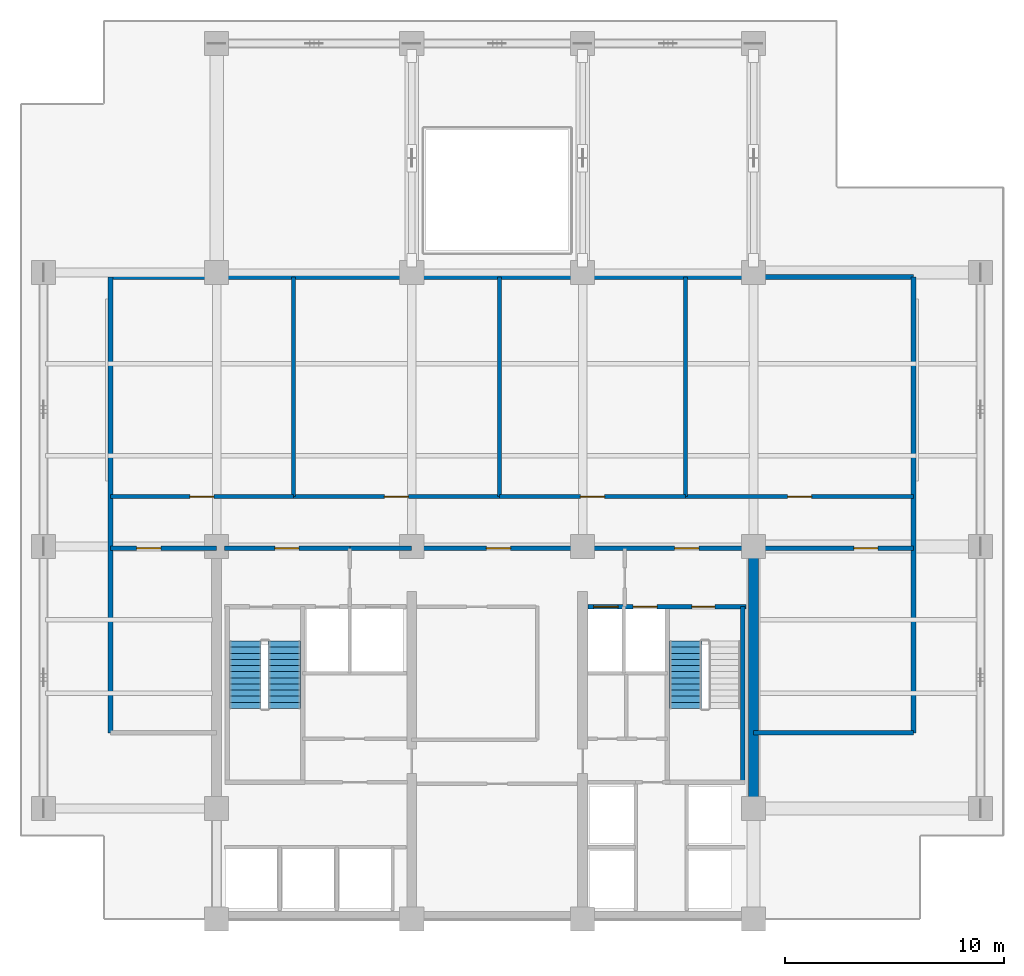
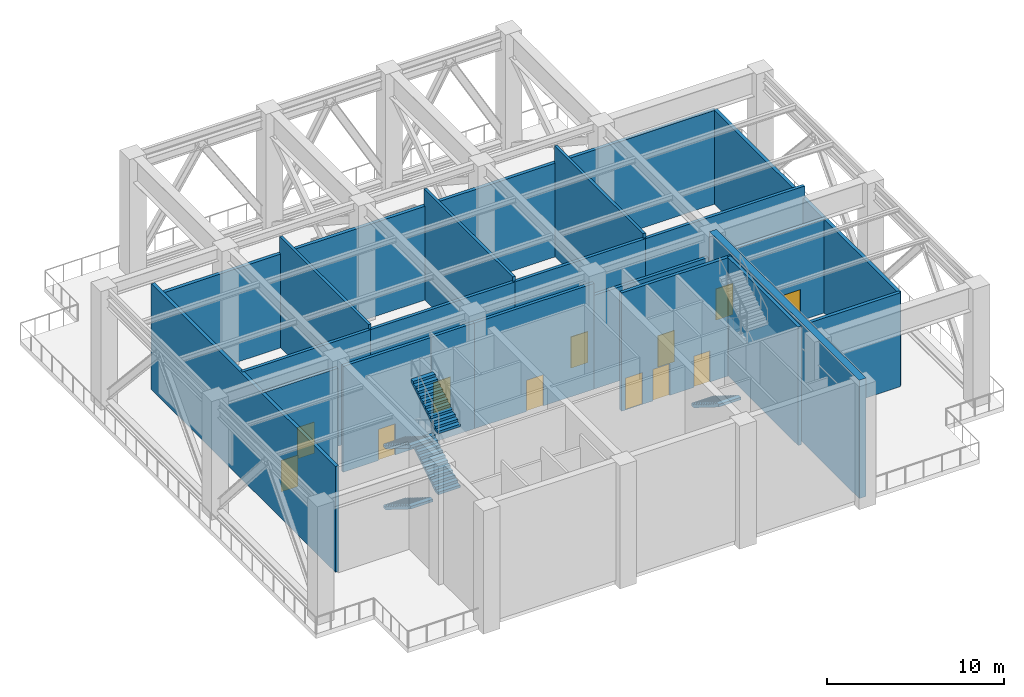
# One storey, part 4 of 7: 20 walls, 12 doors, 5 stair flights, 12 openings, 2 elements without a shape of their own.
"""IFC4 building model written with IfcOpenShell, lengths in metres."""

from ifc_helpers import new_model, si_unit, direction, frame, frame_2d, origin, place, context, subcontext, project, spatial, polyline, rectangle, outline, extrude, material, layer, layer_set, type_object, element, fill, aggregate, save


model = new_model("IFC4")

# Units and contexts
model_context = context("Model", 3, precision=1e-05, world=origin(), true_north=direction((0.0, 1.0)))
body_context = subcontext(model_context, "Body", "Model", "MODEL_VIEW")
ifc_project = project(units=[si_unit("LENGTHUNIT", "METRE"), si_unit("AREAUNIT", "SQUARE_METRE"), si_unit("VOLUMEUNIT", "CUBIC_METRE"), si_unit("PLANEANGLEUNIT", "RADIAN"), si_unit("MASSUNIT", "GRAM", prefix="KILO")], contexts=[model_context])

# Site, building, storey
site_placement = place(None, origin())
site = spatial("IfcSite", under=ifc_project, at=site_placement, CompositionType="ELEMENT")
building_placement = place(site_placement, origin())
building = spatial("IfcBuilding", under=site, at=building_placement, Name="Qalmaran Belvedere Hotel", CompositionType="ELEMENT")
storey_placement = place(building_placement, frame((0.0, 0.0, 184.10009765625)))
storey = spatial("IfcBuildingStorey", under=building, at=storey_placement, Name="L47", CompositionType="ELEMENT", Elevation=184.10009765625)

# Walls
ifc_material_1 = material(Name="Concrete C50/60", Category="concrete")
ifc_layer_1 = layer(ifc_material_1, 0.449951171875, Name="Concrete C50/60")
ifc_layer_set_1 = layer_set([ifc_layer_1], Name="Concrete C50/60")
wall_type_1 = type_object("IfcWallType", Name="WL-CORE-450-C50", PredefinedType="SHEAR", material=ifc_layer_set_1)
wall_1_placement = place(storey_placement, frame((44.800048828125, 3.5, 0.0), z_axis=(0.0, 0.0, 1.0), x_axis=(0.0, 1.0, 0.0)))
element("IfcWall", 1, at=wall_1_placement, inside=storey, type_object=wall_type_1, Name="L47 East Core Shear Wall", PredefinedType="SHEAR", context=body_context, shape_type="SweptSolid", body=[
    extrude(rectangle(XDim=16.89990234375, YDim=0.449951171875, at=frame_2d((8.449951171875, 0.0))), origin(), (0.0, 0.0, 1.0), 8.159912109375),
])
ifc_material_2 = material(Name="Gypsum Stud Partition")
ifc_layer_2 = layer(ifc_material_2, 0.179931640625, Name="Gypsum Stud Partition")
ifc_layer_set_2 = layer_set([ifc_layer_2], Name="Gypsum Stud Partition")
wall_type_2 = type_object("IfcWallType", Name="WL-INT-180-EI120", PredefinedType="PARTITIONING", material=ifc_layer_set_2)
for number, where, z_axis, x_axis, name in (
    (2, (23.800048828125, 22.780029296875, 0.0), (0.0, 0.0, 1.0), (0.0, 1.0, 0.0), "L47 Partition WL-L47-PV1"),
    (3, (33.199951171875, 22.780029296875, 0.0), (0.0, 0.0, 1.0), (0.0, 1.0, 0.0), "L47 Partition WL-L47-PV2"),
    (4, (41.699951171875, 22.780029296875, 0.0), (0.0, 0.0, 1.0), (0.0, 1.0, 0.0), "L47 Partition WL-L47-PV3"),
):
    element("IfcWall", number, at=place(storey_placement, frame(where, z_axis=z_axis, x_axis=x_axis)), inside=storey, type_object=wall_type_2, Name=name, PredefinedType="PARTITIONING", context=body_context, shape_type="SweptSolid", body=[
        extrude(rectangle(XDim=10.02001953125, YDim=0.179931640625, at=frame_2d((5.010009765625, 0.0))), origin(), (0.0, 0.0, 1.0), 7.601806640625),
    ])

# Wall, opening, door
ifc_material_3 = material(Name="Concrete C30/37 Blockwork", Category="masonry")
ifc_layer_3 = layer(ifc_material_3, 0.199951171875, Name="Concrete C30/37 Blockwork")
ifc_layer_set_3 = layer_set([ifc_layer_3], Name="Concrete C30/37 Blockwork")
wall_type_3 = type_object("IfcWallType", Name="WL-INT-200-EI120", PredefinedType="PARTITIONING", material=ifc_layer_set_3)
wall_2_placement = place(storey_placement, frame((20.64990234375, 20.419921875, 0.0), z_axis=(0.0, 0.0, 1.0), x_axis=(1.0, 0.0, 0.0)))
wall_2 = element("IfcWall", 5, at=wall_2_placement, inside=storey, type_object=wall_type_3, Name="L47 Partition WL-CN1A-L47", PredefinedType="PARTITIONING", context=body_context, shape_type="SweptSolid", body=[
    extrude(rectangle(XDim=5.72998046875, YDim=0.199951171875, at=frame_2d((2.864990234375, 0.0))), origin(), (0.0, 0.0, 1.0), 7.289794921875),
])
opening_1_placement = place(wall_2_placement, frame((2.300048828125, 0.0, 0.0)))
opening_1 = element("IfcOpeningElement", 6, at=opening_1_placement, cuts=wall_2, Name="Opening FD90", PredefinedType="OPENING", context=body_context, shape_type="SweptSolid", body=[
    extrude(rectangle(XDim=1.10009765625, YDim=2.14990234375, at=frame_2d((0.550048828125, 1.074951171875))), frame((0.0, 0.10986328125, 0.0), z_axis=(0.0, -1.0, 0.0), x_axis=(1.0, 0.0, 0.0)), (0.0, 0.0, 1.0), 0.219970703125),
])
ifc_material_4 = material(Name="Steel S355JR", Category="steel")
door_type_1 = type_object("IfcDoorType", Name="DR-FD90-1100X2150", OperationType="NOTDEFINED", PredefinedType="DOOR", material=ifc_material_4)
door_1_placement = place(opening_1_placement, origin())
door_1 = element("IfcDoor", 7, at=door_1_placement, inside=storey, type_object=door_type_1, Name="L47 FF1 Lobby Corridor Door", OperationType="SINGLE_SWING_RIGHT", OverallHeight=2.14990234375, OverallWidth=1.10009765625, PredefinedType="DOOR", context=body_context, shape_type="SweptSolid", body=[
    extrude(rectangle(XDim=1.10009765625, YDim=2.14990234375, at=frame_2d((0.550048828125, 1.074951171875))), frame((0.0, 0.02490234375, 0.0), z_axis=(0.0, -1.0, 0.0), x_axis=(1.0, 0.0, 0.0)), (0.0, 0.0, 1.0), 0.050048828125),
])
fill(opening_1, door_1)

# Wall
wall_3_placement = place(storey_placement, frame((26.3798828125, 20.419921875, 0.0), z_axis=(0.0, 0.0, 1.0), x_axis=(1.0, 0.0, 0.0)))
element("IfcWall", 8, at=wall_3_placement, inside=storey, type_object=wall_type_3, Name="L47 Partition WL-CN1B-L47", PredefinedType="PARTITIONING", context=body_context, shape_type="SweptSolid", body=[
    extrude(rectangle(XDim=2.820068359375, YDim=0.199951171875, at=frame_2d((1.41015625, 0.0))), origin(), (0.0, 0.0, 1.0), 7.289794921875),
])

# Wall, opening, door
wall_4_placement = place(storey_placement, frame((29.199951171875, 20.419921875, 0.0), z_axis=(0.0, 0.0, 1.0), x_axis=(1.0, 0.0, 0.0)))
wall_4 = element("IfcWall", 9, at=wall_4_placement, inside=storey, type_object=wall_type_3, Name="L47 Partition WL-CN2-L47", PredefinedType="PARTITIONING", context=body_context, shape_type="SweptSolid", body=[
    extrude(rectangle(XDim=7.800048828125, YDim=0.199951171875, at=frame_2d((3.89990234375, 0.0))), origin(), (0.0, 0.0, 1.0), 7.289794921875),
])
opening_2_placement = place(wall_4_placement, frame((3.4091796875, 0.0, 0.0)))
opening_2 = element("IfcOpeningElement", 10, at=opening_2_placement, cuts=wall_4, Name="Opening FD90", PredefinedType="OPENING", context=body_context, shape_type="SweptSolid", body=[
    extrude(rectangle(XDim=1.10009765625, YDim=2.14990234375, at=frame_2d((0.550048828125, 1.074951171875))), frame((0.0, 0.10986328125, 0.0), z_axis=(0.0, -1.0, 0.0), x_axis=(1.0, 0.0, 0.0)), (0.0, 0.0, 1.0), 0.219970703125),
])
door_2_placement = place(opening_2_placement, origin())
door_2 = element("IfcDoor", 11, at=door_2_placement, inside=storey, type_object=door_type_1, Name="L47 Central Lift Lobby Door", OperationType="SINGLE_SWING_LEFT", OverallHeight=2.14990234375, OverallWidth=1.10009765625, PredefinedType="DOOR", context=body_context, shape_type="SweptSolid", body=[
    extrude(rectangle(XDim=1.10009765625, YDim=2.14990234375, at=frame_2d((0.550048828125, 1.074951171875))), frame((0.0, 0.02490234375, 0.0), z_axis=(0.0, -1.0, 0.0), x_axis=(1.0, 0.0, 0.0)), (0.0, 0.0, 1.0), 0.050048828125),
])
fill(opening_2, door_2)

wall_5_placement = place(storey_placement, frame((37.0, 20.419921875, 0.0), z_axis=(0.0, 0.0, 1.0), x_axis=(1.0, 0.0, 0.0)))
wall_5 = element("IfcWall", 12, at=wall_5_placement, inside=storey, type_object=wall_type_3, Name="L47 Partition WL-CN3-L47", PredefinedType="PARTITIONING", context=body_context, shape_type="SweptSolid", body=[
    extrude(rectangle(XDim=7.449951171875, YDim=0.199951171875, at=frame_2d((3.72509765625, 0.0))), origin(), (0.0, 0.0, 1.0), 6.46484375),
])
opening_3_placement = place(wall_5_placement, frame((4.199951171875, 0.0, 0.0)))
opening_3 = element("IfcOpeningElement", 13, at=opening_3_placement, cuts=wall_5, Name="Opening FD90", PredefinedType="OPENING", context=body_context, shape_type="SweptSolid", body=[
    extrude(rectangle(XDim=1.10009765625, YDim=2.14990234375, at=frame_2d((0.550048828125, 1.074951171875))), frame((0.0, 0.10986328125, 0.0), z_axis=(0.0, -1.0, 0.0), x_axis=(1.0, 0.0, 0.0)), (0.0, 0.0, 1.0), 0.219970703125),
])
door_3_placement = place(opening_3_placement, origin())
door_3 = element("IfcDoor", 14, at=door_3_placement, inside=storey, type_object=door_type_1, Name="L47 FF2 Lobby Corridor Door", OperationType="SINGLE_SWING_RIGHT", OverallHeight=2.14990234375, OverallWidth=1.10009765625, PredefinedType="DOOR", context=body_context, shape_type="SweptSolid", body=[
    extrude(rectangle(XDim=1.10009765625, YDim=2.14990234375, at=frame_2d((0.550048828125, 1.074951171875))), frame((0.0, 0.02490234375, 0.0), z_axis=(0.0, -1.0, 0.0), x_axis=(1.0, 0.0, 0.0)), (0.0, 0.0, 1.0), 0.050048828125),
])
fill(opening_3, door_3)

wall_6_placement = place(storey_placement, frame((15.449951171875, 20.419921875, 0.0), z_axis=(0.0, 0.0, 1.0), x_axis=(1.0, 0.0, 0.0)))
wall_6 = element("IfcWall", 15, at=wall_6_placement, inside=storey, type_object=wall_type_3, Name="L47 Partition WL-L47-RFW", PredefinedType="PARTITIONING", context=body_context, shape_type="SweptSolid", body=[
    extrude(rectangle(XDim=4.85009765625, YDim=0.199951171875, at=frame_2d((2.425048828125, 0.0))), origin(), (0.0, 0.0, 1.0), 7.289794921875),
])
opening_4_placement = place(wall_6_placement, frame((2.300048828125, 0.0, 0.0), z_axis=(0.0, 0.0, 1.0), x_axis=(-1.0, 0.0, 0.0)))
opening_4 = element("IfcOpeningElement", 16, at=opening_4_placement, cuts=wall_6, Name="Opening FD90", PredefinedType="OPENING", context=body_context, shape_type="SweptSolid", body=[
    extrude(rectangle(XDim=1.10009765625, YDim=2.14990234375, at=frame_2d((0.550048828125, 1.074951171875))), frame((0.0, 0.10986328125, 0.0), z_axis=(0.0, -1.0, 0.0), x_axis=(1.0, 0.0, 0.0)), (0.0, 0.0, 1.0), 0.219970703125),
])
door_4_placement = place(opening_4_placement, origin())
door_4 = element("IfcDoor", 17, at=door_4_placement, inside=storey, type_object=door_type_1, Name="L47 Refuge West Door", OperationType="SINGLE_SWING_RIGHT", OverallHeight=2.14990234375, OverallWidth=1.10009765625, PredefinedType="DOOR", context=body_context, shape_type="SweptSolid", body=[
    extrude(rectangle(XDim=1.10009765625, YDim=2.14990234375, at=frame_2d((0.550048828125, 1.074951171875))), frame((0.0, 0.02490234375, 0.0), z_axis=(0.0, -1.0, 0.0), x_axis=(1.0, 0.0, 0.0)), (0.0, 0.0, 1.0), 0.050048828125),
])
fill(opening_4, door_4)

wall_7_placement = place(storey_placement, frame((44.800048828125, 20.419921875, 0.0), z_axis=(0.0, 0.0, 1.0), x_axis=(1.0, 0.0, 0.0)))
wall_7 = element("IfcWall", 18, at=wall_7_placement, inside=storey, type_object=wall_type_3, Name="L47 Partition WL-L47-RFE", PredefinedType="PARTITIONING", context=body_context, shape_type="SweptSolid", body=[
    extrude(rectangle(XDim=7.300048828125, YDim=0.199951171875, at=frame_2d((3.64990234375, 0.0))), origin(), (0.0, 0.0, 1.0), 6.46484375),
])
opening_5_placement = place(wall_7_placement, frame((5.66943359375, 0.0, 0.0), z_axis=(0.0, 0.0, 1.0), x_axis=(-1.0, 0.0, 0.0)))
opening_5 = element("IfcOpeningElement", 19, at=opening_5_placement, cuts=wall_7, Name="Opening FD90", PredefinedType="OPENING", context=body_context, shape_type="SweptSolid", body=[
    extrude(rectangle(XDim=1.10009765625, YDim=2.14990234375, at=frame_2d((0.550048828125, 1.074951171875))), frame((0.0, 0.10986328125, 0.0), z_axis=(0.0, -1.0, 0.0), x_axis=(1.0, 0.0, 0.0)), (0.0, 0.0, 1.0), 0.219970703125),
])
door_5_placement = place(opening_5_placement, origin())
door_5 = element("IfcDoor", 20, at=door_5_placement, inside=storey, type_object=door_type_1, Name="L47 Refuge East Door", OperationType="SINGLE_SWING_LEFT", OverallHeight=2.14990234375, OverallWidth=1.10009765625, PredefinedType="DOOR", context=body_context, shape_type="SweptSolid", body=[
    extrude(rectangle(XDim=1.10009765625, YDim=2.14990234375, at=frame_2d((0.550048828125, 1.074951171875))), frame((0.0, 0.02490234375, 0.0), z_axis=(0.0, -1.0, 0.0), x_axis=(1.0, 0.0, 0.0)), (0.0, 0.0, 1.0), 0.050048828125),
])
fill(opening_5, door_5)

wall_8_placement = place(storey_placement, frame((15.449951171875, 22.780029296875, 0.0), z_axis=(0.0, 0.0, 1.0), x_axis=(1.0, 0.0, 0.0)))
wall_8 = element("IfcWall", 21, at=wall_8_placement, inside=storey, type_object=wall_type_3, Name="L47 Partition WL-L47-PCN1", PredefinedType="PARTITIONING", context=body_context, shape_type="SweptSolid", body=[
    extrude(rectangle(XDim=8.35009765625, YDim=0.199951171875, at=frame_2d((4.175048828125, 0.0))), origin(), (0.0, 0.0, 1.0), 7.289794921875),
])
opening_6_placement = place(wall_8_placement, frame((3.625, 0.0, 0.0)))
opening_6 = element("IfcOpeningElement", 22, at=opening_6_placement, cuts=wall_8, Name="Opening FD90", PredefinedType="OPENING", context=body_context, shape_type="SweptSolid", body=[
    extrude(rectangle(XDim=1.10009765625, YDim=2.14990234375, at=frame_2d((0.550048828125, 1.074951171875))), frame((0.0, 0.10986328125, 0.0), z_axis=(0.0, -1.0, 0.0), x_axis=(1.0, 0.0, 0.0)), (0.0, 0.0, 1.0), 0.219970703125),
])
door_6_placement = place(opening_6_placement, origin())
door_6 = element("IfcDoor", 23, at=door_6_placement, inside=storey, type_object=door_type_1, Name="L47 District Cooling Heat Exchanger Plant Room Door", OperationType="SINGLE_SWING_RIGHT", OverallHeight=2.14990234375, OverallWidth=1.10009765625, PredefinedType="DOOR", context=body_context, shape_type="SweptSolid", body=[
    extrude(rectangle(XDim=1.10009765625, YDim=2.14990234375, at=frame_2d((0.550048828125, 1.074951171875))), frame((0.0, 0.02490234375, 0.0), z_axis=(0.0, -1.0, 0.0), x_axis=(1.0, 0.0, 0.0)), (0.0, 0.0, 1.0), 0.050048828125),
])
fill(opening_6, door_6)

wall_9_placement = place(storey_placement, frame((23.800048828125, 22.780029296875, 0.0), z_axis=(0.0, 0.0, 1.0), x_axis=(1.0, 0.0, 0.0)))
wall_9 = element("IfcWall", 24, at=wall_9_placement, inside=storey, type_object=wall_type_3, Name="L47 Partition WL-L47-PCN2", PredefinedType="PARTITIONING", context=body_context, shape_type="SweptSolid", body=[
    extrude(rectangle(XDim=9.39990234375, YDim=0.199951171875, at=frame_2d((4.699951171875, 0.0))), origin(), (0.0, 0.0, 1.0), 7.289794921875),
])
opening_7_placement = place(wall_9_placement, frame((4.14990234375, 0.0, 0.0)))
opening_7 = element("IfcOpeningElement", 25, at=opening_7_placement, cuts=wall_9, Name="Opening FD90", PredefinedType="OPENING", context=body_context, shape_type="SweptSolid", body=[
    extrude(rectangle(XDim=1.10009765625, YDim=2.14990234375, at=frame_2d((0.550048828125, 1.074951171875))), frame((0.0, 0.10986328125, 0.0), z_axis=(0.0, -1.0, 0.0), x_axis=(1.0, 0.0, 0.0)), (0.0, 0.0, 1.0), 0.219970703125),
])
door_7_placement = place(opening_7_placement, origin())
door_7 = element("IfcDoor", 26, at=door_7_placement, inside=storey, type_object=door_type_1, Name="L47 Supply and Extract AHU Plant Room Door", OperationType="SINGLE_SWING_LEFT", OverallHeight=2.14990234375, OverallWidth=1.10009765625, PredefinedType="DOOR", context=body_context, shape_type="SweptSolid", body=[
    extrude(rectangle(XDim=1.10009765625, YDim=2.14990234375, at=frame_2d((0.550048828125, 1.074951171875))), frame((0.0, 0.02490234375, 0.0), z_axis=(0.0, -1.0, 0.0), x_axis=(1.0, 0.0, 0.0)), (0.0, 0.0, 1.0), 0.050048828125),
])
fill(opening_7, door_7)

wall_10_placement = place(storey_placement, frame((33.199951171875, 22.780029296875, 0.0), z_axis=(0.0, 0.0, 1.0), x_axis=(1.0, 0.0, 0.0)))
wall_10 = element("IfcWall", 27, at=wall_10_placement, inside=storey, type_object=wall_type_3, Name="L47 Partition WL-L47-PCN3", PredefinedType="PARTITIONING", context=body_context, shape_type="SweptSolid", body=[
    extrude(rectangle(XDim=8.5, YDim=0.199951171875, at=frame_2d((4.25, 0.0))), origin(), (0.0, 0.0, 1.0), 7.289794921875),
])
opening_8_placement = place(wall_10_placement, frame((3.699951171875, 0.0, 0.0)))
opening_8 = element("IfcOpeningElement", 28, at=opening_8_placement, cuts=wall_10, Name="Opening FD90", PredefinedType="OPENING", context=body_context, shape_type="SweptSolid", body=[
    extrude(rectangle(XDim=1.10009765625, YDim=2.14990234375, at=frame_2d((0.550048828125, 1.074951171875))), frame((0.0, 0.10986328125, 0.0), z_axis=(0.0, -1.0, 0.0), x_axis=(1.0, 0.0, 0.0)), (0.0, 0.0, 1.0), 0.219970703125),
])
door_8_placement = place(opening_8_placement, origin())
door_8 = element("IfcDoor", 29, at=door_8_placement, inside=storey, type_object=door_type_1, Name="L47 Domestic and Fire Booster Pump Plant Room Door", OperationType="SINGLE_SWING_RIGHT", OverallHeight=2.14990234375, OverallWidth=1.10009765625, PredefinedType="DOOR", context=body_context, shape_type="SweptSolid", body=[
    extrude(rectangle(XDim=1.10009765625, YDim=2.14990234375, at=frame_2d((0.550048828125, 1.074951171875))), frame((0.0, 0.02490234375, 0.0), z_axis=(0.0, -1.0, 0.0), x_axis=(1.0, 0.0, 0.0)), (0.0, 0.0, 1.0), 0.050048828125),
])
fill(opening_8, door_8)

wall_11_placement = place(storey_placement, frame((41.699951171875, 22.780029296875, 0.0), z_axis=(0.0, 0.0, 1.0), x_axis=(1.0, 0.0, 0.0)))
wall_11 = element("IfcWall", 30, at=wall_11_placement, inside=storey, type_object=wall_type_3, Name="L47 Partition WL-L47-PCN4", PredefinedType="PARTITIONING", context=body_context, shape_type="SweptSolid", body=[
    extrude(rectangle(XDim=10.400146484375, YDim=0.199951171875, at=frame_2d((5.2001953125, 0.0))), origin(), (0.0, 0.0, 1.0), 7.289794921875),
])
opening_9_placement = place(wall_11_placement, frame((4.64990234375, 0.0, 0.0)))
opening_9 = element("IfcOpeningElement", 31, at=opening_9_placement, cuts=wall_11, Name="Opening FD90", PredefinedType="OPENING", context=body_context, shape_type="SweptSolid", body=[
    extrude(rectangle(XDim=1.10009765625, YDim=2.14990234375, at=frame_2d((0.550048828125, 1.074951171875))), frame((0.0, 0.10986328125, 0.0), z_axis=(0.0, -1.0, 0.0), x_axis=(1.0, 0.0, 0.0)), (0.0, 0.0, 1.0), 0.219970703125),
])
door_9_placement = place(opening_9_placement, origin())
door_9 = element("IfcDoor", 32, at=door_9_placement, inside=storey, type_object=door_type_1, Name="L47 HV Transformer Substation Plant Room Door", OperationType="SINGLE_SWING_LEFT", OverallHeight=2.14990234375, OverallWidth=1.10009765625, PredefinedType="DOOR", context=body_context, shape_type="SweptSolid", body=[
    extrude(rectangle(XDim=1.10009765625, YDim=2.14990234375, at=frame_2d((0.550048828125, 1.074951171875))), frame((0.0, 0.02490234375, 0.0), z_axis=(0.0, -1.0, 0.0), x_axis=(1.0, 0.0, 0.0)), (0.0, 0.0, 1.0), 0.050048828125),
])
fill(opening_9, door_9)

# Walls
ifc_layer_4 = layer(ifc_material_3, 0.219970703125, Name="Concrete C30/37 Blockwork")
ifc_layer_set_4 = layer_set([ifc_layer_4], Name="Concrete C30/37 Blockwork")
wall_type_4 = type_object("IfcWallType", Name="WL-INT-220-EI120", PredefinedType="PARTITIONING", material=ifc_layer_set_4)
wall_12_placement = place(storey_placement, frame((15.449951171875, 12.0, 0.0), z_axis=(0.0, 0.0, 1.0), x_axis=(0.0, 1.0, 0.0)))
element("IfcWall", 33, at=wall_12_placement, inside=storey, type_object=wall_type_4, Name="L47 Partition WL-L47-PRW", PredefinedType="PARTITIONING", context=body_context, shape_type="SweptSolid", body=[
    extrude(rectangle(XDim=20.800048828125, YDim=0.219970703125, at=frame_2d((10.39990234375, 0.0))), origin(), (0.0, 0.0, 1.0), 7.289794921875),
])
wall_13_placement = place(storey_placement, frame((52.10009765625, 12.0, 0.0), z_axis=(0.0, 0.0, 1.0), x_axis=(0.0, 1.0, 0.0)))
element("IfcWall", 34, at=wall_13_placement, inside=storey, type_object=wall_type_4, Name="L47 Partition WL-L47-PRE", PredefinedType="PARTITIONING", context=body_context, shape_type="SweptSolid", body=[
    extrude(rectangle(XDim=20.800048828125, YDim=0.219970703125, at=frame_2d((10.39990234375, 0.0))), origin(), (0.0, 0.0, 1.0), 6.46484375),
])
wall_14_placement = place(storey_placement, frame((44.800048828125, 12.0, 0.0), z_axis=(0.0, 0.0, 1.0), x_axis=(1.0, 0.0, 0.0)))
element("IfcWall", 35, at=wall_14_placement, inside=storey, type_object=wall_type_4, Name="L47 Partition WL-L47-PRSE", PredefinedType="PARTITIONING", context=body_context, shape_type="SweptSolid", body=[
    extrude(rectangle(XDim=7.300048828125, YDim=0.219970703125, at=frame_2d((3.64990234375, 0.0))), origin(), (0.0, 0.0, 1.0), 6.46484375),
])
wall_15_placement = place(storey_placement, frame((15.449951171875, 32.800048828125, 0.0), z_axis=(0.0, 0.0, 1.0), x_axis=(1.0, 0.0, 0.0)))
element("IfcWall", 36, at=wall_15_placement, inside=storey, type_object=wall_type_4, Name="L47 Partition WL-L47-PRN", PredefinedType="PARTITIONING", context=body_context, shape_type="SweptSolid", body=[
    extrude(rectangle(XDim=36.650146484375, YDim=0.219970703125, at=frame_2d((18.3251953125, 0.0))), origin(), (0.0, 0.0, 1.0), 6.46484375),
])
ifc_layer_5 = layer(ifc_material_1, 0.2099609375, Name="Concrete C50/60")
ifc_layer_set_5 = layer_set([ifc_layer_5], Name="Concrete C50/60")
wall_type_5 = type_object("IfcWallType", Name="WL-STAIR-210-C50", PredefinedType="SHEAR", material=ifc_layer_set_5)
wall_16_placement = place(storey_placement, frame((44.304931640625, 9.7451171875, 0.0), z_axis=(0.0, 0.0, 1.0), x_axis=(0.0, 1.0, 0.0)))
element("IfcWall", 37, at=wall_16_placement, inside=storey, type_object=wall_type_5, Name="L47 Stair ST-2 East Bearing Wall", PredefinedType="SHEAR", context=body_context, shape_type="SweptSolid", body=[
    extrude(rectangle(XDim=8.009765625, YDim=0.2099609375, at=frame_2d((4.0048828125, 0.0))), origin(), (0.0, 0.0, 1.0), 8.159912109375),
])

# Wall, openings, doors
wall_17_placement = place(storey_placement, frame((37.25, 17.7548828125, 0.0), z_axis=(0.0, 0.0, 1.0), x_axis=(1.0, 0.0, 0.0)))
wall_17 = element("IfcWall", 38, at=wall_17_placement, inside=storey, type_object=wall_type_5, Name="L47 East Lobby and Stair ST-2 North Bearing Wall", PredefinedType="SHEAR", context=body_context, shape_type="SweptSolid", body=[
    extrude(rectangle(XDim=7.199951171875, YDim=0.2099609375, at=frame_2d((3.60009765625, 0.0))), origin(), (0.0, 0.0, 1.0), 8.159912109375),
])
opening_10_placement = place(wall_17_placement, frame((0.25, 0.0, 0.0)))
opening_10 = element("IfcOpeningElement", 39, at=opening_10_placement, cuts=wall_17, Name="Opening LD-SV", PredefinedType="OPENING", context=body_context, shape_type="SweptSolid", body=[
    extrude(rectangle(XDim=1.1201171875, YDim=2.199951171875, at=frame_2d((0.56005859375, 1.10009765625))), frame((0.0, 0.114990234375, 0.0), z_axis=(0.0, -1.0, 0.0), x_axis=(1.0, 0.0, 0.0)), (0.0, 0.0, 1.0), 0.22998046875),
])
opening_11_placement = place(wall_17_placement, frame((2.050048828125, 0.0, 0.0)))
opening_11 = element("IfcOpeningElement", 40, at=opening_11_placement, cuts=wall_17, Name="Opening LD-FF", PredefinedType="OPENING", context=body_context, shape_type="SweptSolid", body=[
    extrude(rectangle(XDim=1.10009765625, YDim=2.179931640625, at=frame_2d((0.550048828125, 1.08984375))), frame((0.0, 0.114990234375, 0.0), z_axis=(0.0, -1.0, 0.0), x_axis=(1.0, 0.0, 0.0)), (0.0, 0.0, 1.0), 0.22998046875),
])
opening_12_placement = place(wall_17_placement, frame((5.780029296875, 0.0, 0.0), z_axis=(0.0, 0.0, 1.0), x_axis=(-1.0, 0.0, 0.0)))
opening_12 = element("IfcOpeningElement", 41, at=opening_12_placement, cuts=wall_17, Name="Opening FD90S2", PredefinedType="OPENING", context=body_context, shape_type="SweptSolid", body=[
    extrude(rectangle(XDim=1.050048828125, YDim=2.14990234375, at=frame_2d((0.52490234375, 1.074951171875))), frame((0.0, 0.114990234375, 0.0), z_axis=(0.0, -1.0, 0.0), x_axis=(1.0, 0.0, 0.0)), (0.0, 0.0, 1.0), 0.22998046875),
])
door_type_2 = type_object("IfcDoorType", Name="DR-FD90S-1050X2150", OperationType="NOTDEFINED", PredefinedType="DOOR", material=ifc_material_4)
door_10_placement = place(opening_12_placement, origin())
door_10 = element("IfcDoor", 42, at=door_10_placement, inside=storey, type_object=door_type_2, Name="L47 Stair ST-2 Door", OperationType="SINGLE_SWING_LEFT", OverallHeight=2.14990234375, OverallWidth=1.050048828125, PredefinedType="DOOR", context=body_context, shape_type="SweptSolid", body=[
    extrude(rectangle(XDim=1.050048828125, YDim=2.14990234375, at=frame_2d((0.52490234375, 1.074951171875))), frame((0.0, 0.02490234375, 0.0), z_axis=(0.0, -1.0, 0.0), x_axis=(1.0, 0.0, 0.0)), (0.0, 0.0, 1.0), 0.050048828125),
])
fill(opening_12, door_10)
ifc_material_5 = material(Name="Stainless Steel 1.4401", Category="steel")
door_type_3 = type_object("IfcDoorType", Name="DR-LIFT-FF-1100X2180", OperationType="DOUBLE_DOOR_SLIDING", PredefinedType="DOOR", material=ifc_material_5)
door_11_placement = place(opening_11_placement, origin())
door_11 = element("IfcDoor", 43, at=door_11_placement, inside=storey, type_object=door_type_3, Name="L47 FF2 Lift Landing Door", OperationType="DOUBLE_DOOR_SLIDING", OverallHeight=2.179931640625, OverallWidth=1.10009765625, PredefinedType="DOOR", context=body_context, shape_type="SweptSolid", body=[
    extrude(rectangle(XDim=1.10009765625, YDim=2.179931640625, at=frame_2d((0.550048828125, 1.08984375))), frame((0.0, 0.02490234375, 0.0), z_axis=(0.0, -1.0, 0.0), x_axis=(1.0, 0.0, 0.0)), (0.0, 0.0, 1.0), 0.050048828125),
])
fill(opening_11, door_11)
door_type_4 = type_object("IfcDoorType", Name="DR-LIFT-SV-1120X2200", OperationType="DOUBLE_DOOR_SLIDING", PredefinedType="DOOR", material=ifc_material_5)
door_12_placement = place(opening_10_placement, origin())
door_12 = element("IfcDoor", 44, at=door_12_placement, inside=storey, type_object=door_type_4, Name="L47 SV2 Lift Landing Door", OperationType="DOUBLE_DOOR_SLIDING", OverallHeight=2.199951171875, OverallWidth=1.1201171875, PredefinedType="DOOR", context=body_context, shape_type="SweptSolid", body=[
    extrude(rectangle(XDim=1.1201171875, YDim=2.199951171875, at=frame_2d((0.56005859375, 1.10009765625))), frame((0.0, 0.02490234375, 0.0), z_axis=(0.0, -1.0, 0.0), x_axis=(1.0, 0.0, 0.0)), (0.0, 0.0, 1.0), 0.050048828125),
])
fill(opening_10, door_12)

# Stair, stair flights
ifc_material_6 = material(Name="Concrete C40/50", Category="concrete")
stair_type_1 = type_object("IfcStairType", Name="STR-ST-1-1450-R1750", PredefinedType="HALF_TURN_STAIR", material=ifc_material_6)
stair_1_placement = place(storey_placement, origin())
stair_1 = element("IfcStair", 45, at=stair_1_placement, inside=storey, type_object=stair_type_1, Name="L47 West Core Exit Stair ST-1", PredefinedType="HALF_TURN_STAIR")
ifc_layer_6 = layer(ifc_material_6, 0.14990234375, Name="Concrete C40/50")
ifc_layer_set_6 = layer_set([ifc_layer_6], Name="Concrete C40/50")
stair_flight_type_1 = type_object("IfcStairFlightType", Name="STF-ST-1-1450-R1750", PredefinedType="STRAIGHT", material=ifc_layer_set_6)
stair_flight_1_placement = place(storey_placement, frame((21.60498046875, 16.18994140625, 0.0), z_axis=(0.0, 0.0, 1.0), x_axis=(0.0, -1.0, 0.0)))
stair_flight_1 = element("IfcStairFlight", 46, at=stair_flight_1_placement, type_object=stair_flight_type_1, Name="ST-1 flight 1", NumberOfRisers=12, NumberOfTreads=11, PredefinedType="STRAIGHT", RiserHeight=0.175, TreadLength=0.28, context=body_context, shape_type="SweptSolid", body=[
    extrude(outline(polyline([(0.0, 0.0), (0.0, 0.175048828125), (0.280029296875, 0.175048828125), (0.280029296875, 0.35009765625), (0.56005859375, 0.35009765625), (0.56005859375, 0.52490234375), (0.840087890625, 0.52490234375), (0.840087890625, 0.699951171875), (1.1201171875, 0.699951171875), (1.1201171875, 0.875), (1.39990234375, 0.875), (1.39990234375, 1.050048828125), (1.679931640625, 1.050048828125), (1.679931640625, 1.22509765625), (1.9599609375, 1.22509765625), (1.9599609375, 1.39990234375), (2.239990234375, 1.39990234375), (2.239990234375, 1.574951171875), (2.52001953125, 1.574951171875), (2.52001953125, 1.75), (2.800048828125, 1.75), (2.800048828125, 1.925048828125), (3.080078125, 1.925048828125), (3.080078125, 2.10009765625), (3.080078125, 1.748291015625), (0.28271484375, 0.0), (0.0, 0.0)])), frame((0.0, 0.72509765625, 0.0), z_axis=(0.0, -1.0, 0.0), x_axis=(1.0, 0.0, 0.0)), (0.0, 0.0, 1.0), 1.449951171875),
])
stair_flight_2_placement = place(storey_placement, frame((23.39501953125, 13.110107421875, 2.099853515625), z_axis=(0.0, 0.0, 1.0), x_axis=(0.0, 1.0, 0.0)))
stair_flight_2 = element("IfcStairFlight", 47, at=stair_flight_2_placement, type_object=stair_flight_type_1, Name="ST-1 flight 2", NumberOfRisers=12, NumberOfTreads=11, PredefinedType="STRAIGHT", RiserHeight=0.175, TreadLength=0.28, context=body_context, shape_type="SweptSolid", body=[
    extrude(outline(polyline([(0.0, 0.0), (0.0, 0.175048828125), (0.280029296875, 0.175048828125), (0.280029296875, 0.35009765625), (0.56005859375, 0.35009765625), (0.56005859375, 0.52490234375), (0.840087890625, 0.52490234375), (0.840087890625, 0.699951171875), (1.1201171875, 0.699951171875), (1.1201171875, 0.875), (1.39990234375, 0.875), (1.39990234375, 1.050048828125), (1.679931640625, 1.050048828125), (1.679931640625, 1.22509765625), (1.9599609375, 1.22509765625), (1.9599609375, 1.39990234375), (2.239990234375, 1.39990234375), (2.239990234375, 1.574951171875), (2.52001953125, 1.574951171875), (2.52001953125, 1.75), (2.800048828125, 1.75), (2.800048828125, 1.925048828125), (3.080078125, 1.925048828125), (3.080078125, 2.10009765625), (3.080078125, 1.748291015625), (0.28271484375, 0.0), (0.0, 0.0)])), frame((0.0, 0.72509765625, 0.0), z_axis=(0.0, -1.0, 0.0), x_axis=(1.0, 0.0, 0.0)), (0.0, 0.0, 1.0), 1.449951171875),
])
stair_flight_3_placement = place(storey_placement, frame((21.60498046875, 16.18994140625, 4.199951171875), z_axis=(0.0, 0.0, 1.0), x_axis=(0.0, -1.0, 0.0)))
stair_flight_3 = element("IfcStairFlight", 48, at=stair_flight_3_placement, type_object=stair_flight_type_1, Name="ST-1 flight 3", NumberOfRisers=12, NumberOfTreads=11, PredefinedType="STRAIGHT", RiserHeight=0.175, TreadLength=0.28, context=body_context, shape_type="SweptSolid", body=[
    extrude(outline(polyline([(0.0, 0.0), (0.0, 0.175048828125), (0.280029296875, 0.175048828125), (0.280029296875, 0.35009765625), (0.56005859375, 0.35009765625), (0.56005859375, 0.52490234375), (0.840087890625, 0.52490234375), (0.840087890625, 0.699951171875), (1.1201171875, 0.699951171875), (1.1201171875, 0.875), (1.39990234375, 0.875), (1.39990234375, 1.050048828125), (1.679931640625, 1.050048828125), (1.679931640625, 1.22509765625), (1.9599609375, 1.22509765625), (1.9599609375, 1.39990234375), (2.239990234375, 1.39990234375), (2.239990234375, 1.574951171875), (2.52001953125, 1.574951171875), (2.52001953125, 1.75), (2.800048828125, 1.75), (2.800048828125, 1.925048828125), (3.080078125, 1.925048828125), (3.080078125, 2.10009765625), (3.080078125, 1.748291015625), (0.28271484375, 0.0), (0.0, 0.0)])), frame((0.0, 0.72509765625, 0.0), z_axis=(0.0, -1.0, 0.0), x_axis=(1.0, 0.0, 0.0)), (0.0, 0.0, 1.0), 1.449951171875),
])
stair_flight_4_placement = place(storey_placement, frame((23.39501953125, 13.110107421875, 6.2998046875), z_axis=(0.0, 0.0, 1.0), x_axis=(0.0, 1.0, 0.0)))
stair_flight_4 = element("IfcStairFlight", 49, at=stair_flight_4_placement, type_object=stair_flight_type_1, Name="ST-1 flight 4", NumberOfRisers=12, NumberOfTreads=11, PredefinedType="STRAIGHT", RiserHeight=0.175, TreadLength=0.28, context=body_context, shape_type="SweptSolid", body=[
    extrude(outline(polyline([(0.0, 0.0), (0.0, 0.175048828125), (0.280029296875, 0.175048828125), (0.280029296875, 0.35009765625), (0.56005859375, 0.35009765625), (0.56005859375, 0.52490234375), (0.840087890625, 0.52490234375), (0.840087890625, 0.699951171875), (1.1201171875, 0.699951171875), (1.1201171875, 0.875), (1.39990234375, 0.875), (1.39990234375, 1.050048828125), (1.679931640625, 1.050048828125), (1.679931640625, 1.22509765625), (1.9599609375, 1.22509765625), (1.9599609375, 1.39990234375), (2.239990234375, 1.39990234375), (2.239990234375, 1.574951171875), (2.52001953125, 1.574951171875), (2.52001953125, 1.75), (2.800048828125, 1.75), (2.800048828125, 1.925048828125), (3.080078125, 1.925048828125), (3.080078125, 2.10009765625), (3.080078125, 1.748291015625), (0.28271484375, 0.0), (0.0, 0.0)])), frame((0.0, 0.72509765625, 0.0), z_axis=(0.0, -1.0, 0.0), x_axis=(1.0, 0.0, 0.0)), (0.0, 0.0, 1.0), 1.449951171875),
])
aggregate(stair_1, [stair_flight_1, stair_flight_2, stair_flight_3, stair_flight_4])

# Stair, stair flight
stair_type_2 = type_object("IfcStairType", Name="STR-ST-2-1450-R1750", PredefinedType="HALF_TURN_STAIR", material=ifc_material_6)
stair_2_placement = place(storey_placement, origin())
stair_2 = element("IfcStair", 50, at=stair_2_placement, inside=storey, type_object=stair_type_2, Name="L47 East Core Exit Stair ST-2", PredefinedType="HALF_TURN_STAIR")
ifc_layer_7 = layer(ifc_material_6, 0.14990234375, Name="Concrete C40/50")
ifc_layer_set_7 = layer_set([ifc_layer_7], Name="Concrete C40/50")
stair_flight_type_2 = type_object("IfcStairFlightType", Name="STF-ST-2-1450-R1750", PredefinedType="STRAIGHT", material=ifc_layer_set_7)
stair_flight_5_placement = place(storey_placement, frame((41.68505859375, 16.18994140625, 0.0), z_axis=(0.0, 0.0, 1.0), x_axis=(0.0, -1.0, 0.0)))
stair_flight_5 = element("IfcStairFlight", 51, at=stair_flight_5_placement, type_object=stair_flight_type_2, Name="ST-2 flight 1", NumberOfRisers=12, NumberOfTreads=11, PredefinedType="STRAIGHT", RiserHeight=0.175, TreadLength=0.28, context=body_context, shape_type="SweptSolid", body=[
    extrude(outline(polyline([(0.0, 0.0), (0.0, 0.175048828125), (0.280029296875, 0.175048828125), (0.280029296875, 0.35009765625), (0.56005859375, 0.35009765625), (0.56005859375, 0.52490234375), (0.840087890625, 0.52490234375), (0.840087890625, 0.699951171875), (1.1201171875, 0.699951171875), (1.1201171875, 0.875), (1.39990234375, 0.875), (1.39990234375, 1.050048828125), (1.679931640625, 1.050048828125), (1.679931640625, 1.22509765625), (1.9599609375, 1.22509765625), (1.9599609375, 1.39990234375), (2.239990234375, 1.39990234375), (2.239990234375, 1.574951171875), (2.52001953125, 1.574951171875), (2.52001953125, 1.75), (2.800048828125, 1.75), (2.800048828125, 1.925048828125), (3.080078125, 1.925048828125), (3.080078125, 2.10009765625), (3.080078125, 1.748291015625), (0.28271484375, 0.0), (0.0, 0.0)])), frame((0.0, 0.72509765625, 0.0), z_axis=(0.0, -1.0, 0.0), x_axis=(1.0, 0.0, 0.0)), (0.0, 0.0, 1.0), 1.449951171875),
])
aggregate(stair_2, [stair_flight_5])

save(model, "model.ifc")
